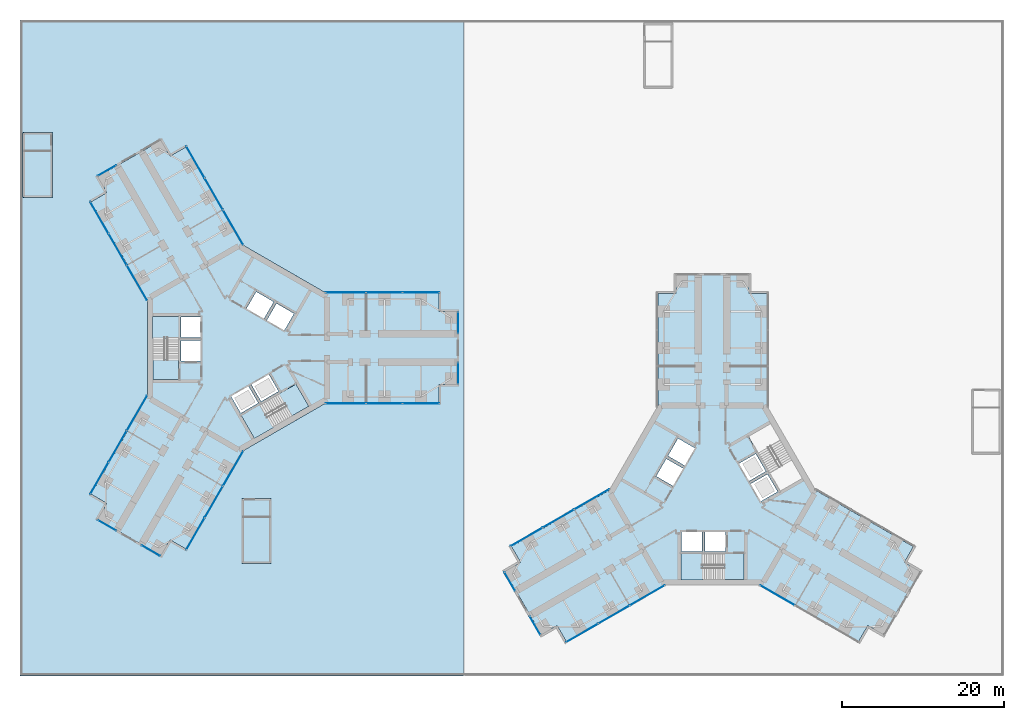
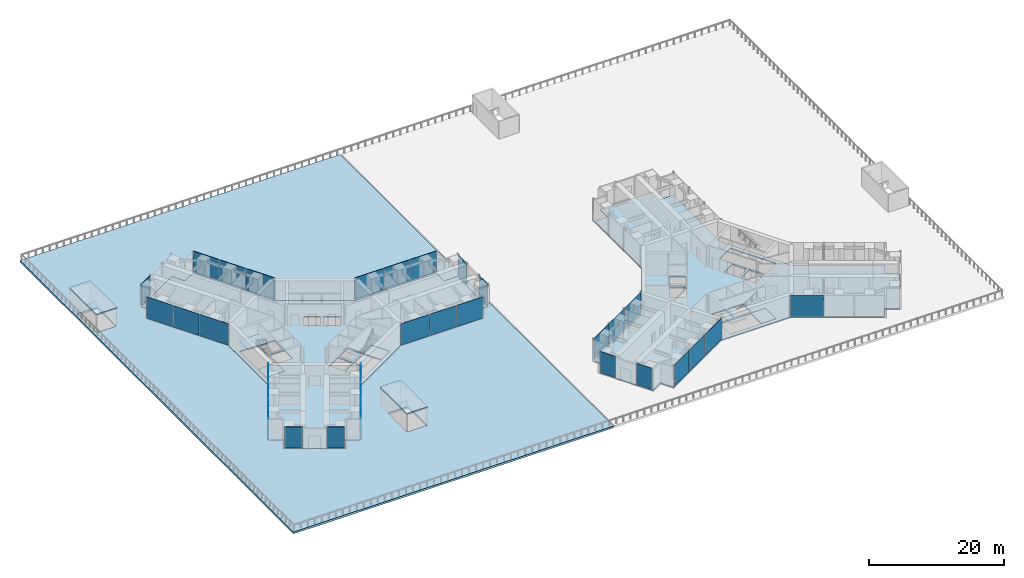
# One storey, part 11 of 23: 32 plates, 11 slabs, 19 elements without a shape of their own.
"""IFC4 building model written with IfcOpenShell, lengths in metres."""

from ifc_helpers import new_model, si_unit, direction, frame, origin, origin_2d, place, context, subcontext, project, spatial, polyline, rectangle, outline, extrude, material, layer, layer_set, type_object, element, aggregate, save


model = new_model("IFC4")

# Units and contexts
model_context = context("Model", 3, precision=1e-05, world=origin(), true_north=direction((0.0, 1.0)))
body_context = subcontext(model_context, "Body", "Model", "MODEL_VIEW")
ifc_project = project(units=[si_unit("LENGTHUNIT", "METRE"), si_unit("AREAUNIT", "SQUARE_METRE"), si_unit("VOLUMEUNIT", "CUBIC_METRE"), si_unit("PLANEANGLEUNIT", "RADIAN"), si_unit("MASSUNIT", "GRAM", prefix="KILO")], contexts=[model_context])

# Site, building, storey
site_placement = place(None, origin())
site = spatial("IfcSite", under=ifc_project, at=site_placement, CompositionType="ELEMENT")
building_placement = place(site_placement, origin())
building = spatial("IfcBuilding", under=site, at=building_placement, Name="Upepo Twin Towers", CompositionType="ELEMENT")
storey_placement = place(building_placement, frame((0.0, 0.0, 20.5)))
storey = spatial("IfcBuildingStorey", under=building, at=storey_placement, Name="L04", CompositionType="ELEMENT", Elevation=20.5)

# Curtain wall, plates
ifc_material_1 = material(Name="Aluminium and fritted glass", Category="aluminium")
curtain_wall_type = type_object("IfcCurtainWallType", Name="Tower curtain wall TW1, fritted glass", PredefinedType="NOTDEFINED", material=ifc_material_1)
curtain_wall_1_placement = place(storey_placement, origin())
curtain_wall_1 = element("IfcCurtainWall", 1, at=curtain_wall_1_placement, inside=storey, type_object=curtain_wall_type, Name="T1 L04 wing A flank L curtain wall", PredefinedType="NOTDEFINED")
ifc_material_2 = material(Name="Ceramic-fritted laminated glass", Category="glass")
ifc_layer_1 = layer(ifc_material_2, 0.031982421875)
ifc_layer_set_1 = layer_set([ifc_layer_1], Name="Fritted glass panel, 20 per cent dot frit, 32 mm double glazed")
plate_type_1 = type_object("IfcPlateType", Name="Fritted glass panel, 20 per cent dot frit, 32 mm double glazed", PredefinedType="CURTAIN_PANEL", material=ifc_layer_set_1)
plate_1_placement = place(storey_placement, frame((13.23486328125, 6.85009765625, 0.14990234375), z_axis=(0.0, 0.0, 1.0), x_axis=(1.0, 0.0, 0.0)))
plate_1 = element("IfcPlate", 2, at=plate_1_placement, type_object=plate_type_1, Name="T1 L04 wing A flank L curtain wall panel 1", PredefinedType="CURTAIN_PANEL", context=body_context, shape_type="SweptSolid", body=[
    extrude(rectangle(XDim=4.96533203125, YDim=0.031982421875, at=origin_2d()), origin(), (0.0, 0.0, 1.0), 3.85009765625),
])
plate_2_placement = place(storey_placement, frame((18.0, 6.85009765625, 0.14990234375), z_axis=(0.0, 0.0, 1.0), x_axis=(1.0, 0.0, 0.0)))
plate_2 = element("IfcPlate", 3, at=plate_2_placement, type_object=plate_type_1, Name="T1 L04 wing A flank L curtain wall panel 2", PredefinedType="CURTAIN_PANEL", context=body_context, shape_type="SweptSolid", body=[
    extrude(rectangle(XDim=4.43505859375, YDim=0.031982421875, at=origin_2d()), origin(), (0.0, 0.0, 1.0), 3.85009765625),
])
plate_3_placement = place(storey_placement, frame((22.53369140625, 6.85009765625, 0.14990234375), z_axis=(0.0, 0.0, 1.0), x_axis=(1.0, 0.0, 0.0)))
plate_3 = element("IfcPlate", 4, at=plate_3_placement, type_object=plate_type_1, Name="T1 L04 wing A flank L curtain wall panel 3", PredefinedType="CURTAIN_PANEL", context=body_context, shape_type="SweptSolid", body=[
    extrude(rectangle(XDim=4.50244140625, YDim=0.031982421875, at=origin_2d()), origin(), (0.0, 0.0, 1.0), 3.85009765625),
])
aggregate(curtain_wall_1, [plate_1, plate_2, plate_3])

curtain_wall_2_placement = place(storey_placement, origin())
curtain_wall_2 = element("IfcCurtainWall", 5, at=curtain_wall_2_placement, inside=storey, type_object=curtain_wall_type, Name="T1 L04 wing A flank R curtain wall", PredefinedType="NOTDEFINED")
plate_4_placement = place(storey_placement, frame((22.53369140625, -6.85009765625, 0.14990234375), z_axis=(0.0, 0.0, 1.0), x_axis=(-1.0, 0.0, 0.0)))
plate_4 = element("IfcPlate", 6, at=plate_4_placement, type_object=plate_type_1, Name="T1 L04 wing A flank R curtain wall panel 1", PredefinedType="CURTAIN_PANEL", context=body_context, shape_type="SweptSolid", body=[
    extrude(rectangle(XDim=4.50244140625, YDim=0.031982421875, at=origin_2d()), origin(), (0.0, 0.0, 1.0), 3.85009765625),
])
plate_5_placement = place(storey_placement, frame((18.0, -6.85009765625, 0.14990234375), z_axis=(0.0, 0.0, 1.0), x_axis=(-1.0, 0.0, 0.0)))
plate_5 = element("IfcPlate", 7, at=plate_5_placement, type_object=plate_type_1, Name="T1 L04 wing A flank R curtain wall panel 2", PredefinedType="CURTAIN_PANEL", context=body_context, shape_type="SweptSolid", body=[
    extrude(rectangle(XDim=4.43505859375, YDim=0.031982421875, at=origin_2d()), origin(), (0.0, 0.0, 1.0), 3.85009765625),
])
plate_6_placement = place(storey_placement, frame((13.23486328125, -6.85009765625, 0.14990234375), z_axis=(0.0, 0.0, 1.0), x_axis=(-1.0, 0.0, 0.0)))
plate_6 = element("IfcPlate", 8, at=plate_6_placement, type_object=plate_type_1, Name="T1 L04 wing A flank R curtain wall panel 3", PredefinedType="CURTAIN_PANEL", context=body_context, shape_type="SweptSolid", body=[
    extrude(rectangle(XDim=4.96533203125, YDim=0.031982421875, at=origin_2d()), origin(), (0.0, 0.0, 1.0), 3.85009765625),
])
aggregate(curtain_wall_2, [plate_4, plate_5, plate_6])

curtain_wall_3_placement = place(storey_placement, origin())
curtain_wall_3 = element("IfcCurtainWall", 9, at=curtain_wall_3_placement, inside=storey, type_object=curtain_wall_type, Name="T1 L04 wing B flank L curtain wall", PredefinedType="NOTDEFINED")
plate_7_placement = place(storey_placement, frame((-12.549560546875, 8.03662109375, 0.14990234375), z_axis=(0.0, 0.0, 1.0), x_axis=(-0.500000024426, 0.866025389682, 0.0)))
plate_7 = element("IfcPlate", 10, at=plate_7_placement, type_object=plate_type_1, Name="T1 L04 wing B flank L curtain wall panel 1", PredefinedType="CURTAIN_PANEL", context=body_context, shape_type="SweptSolid", body=[
    extrude(rectangle(XDim=4.96533203125, YDim=0.031982421875, at=origin_2d()), origin(), (0.0, 0.0, 1.0), 3.85009765625),
])
plate_8_placement = place(storey_placement, frame((-14.932373046875, 12.16357421875, 0.14990234375), z_axis=(0.0, 0.0, 1.0), x_axis=(-0.500000024426, 0.866025389682, 0.0)))
plate_8 = element("IfcPlate", 11, at=plate_8_placement, type_object=plate_type_1, Name="T1 L04 wing B flank L curtain wall panel 2", PredefinedType="CURTAIN_PANEL", context=body_context, shape_type="SweptSolid", body=[
    extrude(rectangle(XDim=4.43505859375, YDim=0.031982421875, at=origin_2d()), origin(), (0.0, 0.0, 1.0), 3.85009765625),
])
plate_9_placement = place(storey_placement, frame((-17.19921875, 16.08984375, 0.14990234375), z_axis=(0.0, 0.0, 1.0), x_axis=(-0.500000024426, 0.866025389682, 0.0)))
plate_9 = element("IfcPlate", 12, at=plate_9_placement, type_object=plate_type_1, Name="T1 L04 wing B flank L curtain wall panel 3", PredefinedType="CURTAIN_PANEL", context=body_context, shape_type="SweptSolid", body=[
    extrude(rectangle(XDim=4.50244140625, YDim=0.031982421875, at=origin_2d()), origin(), (0.0, 0.0, 1.0), 3.85009765625),
])
aggregate(curtain_wall_3, [plate_7, plate_8, plate_9])

curtain_wall_4_placement = place(storey_placement, origin())
curtain_wall_4 = element("IfcCurtainWall", 13, at=curtain_wall_4_placement, inside=storey, type_object=curtain_wall_type, Name="T1 L04 wing B flank R curtain wall", PredefinedType="NOTDEFINED")
plate_10_placement = place(storey_placement, frame((-5.334716796875, 22.939697265625, 0.14990234375), z_axis=(0.0, 0.0, 1.0), x_axis=(0.500000024426, -0.866025389682, 0.0)))
plate_10 = element("IfcPlate", 14, at=plate_10_placement, type_object=plate_type_1, Name="T1 L04 wing B flank R curtain wall panel 1", PredefinedType="CURTAIN_PANEL", context=body_context, shape_type="SweptSolid", body=[
    extrude(rectangle(XDim=4.50244140625, YDim=0.031982421875, at=origin_2d()), origin(), (0.0, 0.0, 1.0), 3.85009765625),
])
plate_11_placement = place(storey_placement, frame((-3.067626953125, 19.013427734375, 0.14990234375), z_axis=(0.0, 0.0, 1.0), x_axis=(0.500000024426, -0.866025389682, 0.0)))
plate_11 = element("IfcPlate", 15, at=plate_11_placement, type_object=plate_type_1, Name="T1 L04 wing B flank R curtain wall panel 2", PredefinedType="CURTAIN_PANEL", context=body_context, shape_type="SweptSolid", body=[
    extrude(rectangle(XDim=4.43505859375, YDim=0.031982421875, at=origin_2d()), origin(), (0.0, 0.0, 1.0), 3.85009765625),
])
plate_12_placement = place(storey_placement, frame((-0.68505859375, 14.88671875, 0.14990234375), z_axis=(0.0, 0.0, 1.0), x_axis=(0.500000024426, -0.866025389682, 0.0)))
plate_12 = element("IfcPlate", 16, at=plate_12_placement, type_object=plate_type_1, Name="T1 L04 wing B flank R curtain wall panel 3", PredefinedType="CURTAIN_PANEL", context=body_context, shape_type="SweptSolid", body=[
    extrude(rectangle(XDim=4.96533203125, YDim=0.031982421875, at=origin_2d()), origin(), (0.0, 0.0, 1.0), 3.85009765625),
])
aggregate(curtain_wall_4, [plate_10, plate_11, plate_12])

curtain_wall_5_placement = place(storey_placement, origin())
curtain_wall_5 = element("IfcCurtainWall", 17, at=curtain_wall_5_placement, inside=storey, type_object=curtain_wall_type, Name="T1 L04 wing C flank L curtain wall", PredefinedType="NOTDEFINED")
plate_13_placement = place(storey_placement, frame((-0.68505859375, -14.88671875, 0.14990234375), z_axis=(0.0, 0.0, 1.0), x_axis=(-0.500000024426, -0.866025389682, 0.0)))
plate_13 = element("IfcPlate", 18, at=plate_13_placement, type_object=plate_type_1, Name="T1 L04 wing C flank L curtain wall panel 1", PredefinedType="CURTAIN_PANEL", context=body_context, shape_type="SweptSolid", body=[
    extrude(rectangle(XDim=4.96533203125, YDim=0.031982421875, at=origin_2d()), origin(), (0.0, 0.0, 1.0), 3.85009765625),
])
plate_14_placement = place(storey_placement, frame((-3.067626953125, -19.013427734375, 0.14990234375), z_axis=(0.0, 0.0, 1.0), x_axis=(-0.500000024426, -0.866025389682, 0.0)))
plate_14 = element("IfcPlate", 19, at=plate_14_placement, type_object=plate_type_1, Name="T1 L04 wing C flank L curtain wall panel 2", PredefinedType="CURTAIN_PANEL", context=body_context, shape_type="SweptSolid", body=[
    extrude(rectangle(XDim=4.43505859375, YDim=0.031982421875, at=origin_2d()), origin(), (0.0, 0.0, 1.0), 3.85009765625),
])
plate_15_placement = place(storey_placement, frame((-5.334716796875, -22.939697265625, 0.14990234375), z_axis=(0.0, 0.0, 1.0), x_axis=(-0.500000024426, -0.866025389682, 0.0)))
plate_15 = element("IfcPlate", 20, at=plate_15_placement, type_object=plate_type_1, Name="T1 L04 wing C flank L curtain wall panel 3", PredefinedType="CURTAIN_PANEL", context=body_context, shape_type="SweptSolid", body=[
    extrude(rectangle(XDim=4.50244140625, YDim=0.031982421875, at=origin_2d()), origin(), (0.0, 0.0, 1.0), 3.85009765625),
])
aggregate(curtain_wall_5, [plate_13, plate_14, plate_15])

curtain_wall_6_placement = place(storey_placement, origin())
curtain_wall_6 = element("IfcCurtainWall", 21, at=curtain_wall_6_placement, inside=storey, type_object=curtain_wall_type, Name="T1 L04 wing C flank R curtain wall", PredefinedType="NOTDEFINED")
plate_16_placement = place(storey_placement, frame((-17.19921875, -16.08984375, 0.14990234375), z_axis=(0.0, 0.0, 1.0), x_axis=(0.500000024426, 0.866025389682, 0.0)))
plate_16 = element("IfcPlate", 22, at=plate_16_placement, type_object=plate_type_1, Name="T1 L04 wing C flank R curtain wall panel 1", PredefinedType="CURTAIN_PANEL", context=body_context, shape_type="SweptSolid", body=[
    extrude(rectangle(XDim=4.50244140625, YDim=0.031982421875, at=origin_2d()), origin(), (0.0, 0.0, 1.0), 3.85009765625),
])
plate_17_placement = place(storey_placement, frame((-14.932373046875, -12.16357421875, 0.14990234375), z_axis=(0.0, 0.0, 1.0), x_axis=(0.500000024426, 0.866025389682, 0.0)))
plate_17 = element("IfcPlate", 23, at=plate_17_placement, type_object=plate_type_1, Name="T1 L04 wing C flank R curtain wall panel 2", PredefinedType="CURTAIN_PANEL", context=body_context, shape_type="SweptSolid", body=[
    extrude(rectangle(XDim=4.43505859375, YDim=0.031982421875, at=origin_2d()), origin(), (0.0, 0.0, 1.0), 3.85009765625),
])
plate_18_placement = place(storey_placement, frame((-12.549560546875, -8.03662109375, 0.14990234375), z_axis=(0.0, 0.0, 1.0), x_axis=(0.500000024426, 0.866025389682, 0.0)))
plate_18 = element("IfcPlate", 24, at=plate_18_placement, type_object=plate_type_1, Name="T1 L04 wing C flank R curtain wall panel 3", PredefinedType="CURTAIN_PANEL", context=body_context, shape_type="SweptSolid", body=[
    extrude(rectangle(XDim=4.96533203125, YDim=0.031982421875, at=origin_2d()), origin(), (0.0, 0.0, 1.0), 3.85009765625),
])
aggregate(curtain_wall_6, [plate_16, plate_17, plate_18])

curtain_wall_7_placement = place(storey_placement, origin())
curtain_wall_7 = element("IfcCurtainWall", 25, at=curtain_wall_7_placement, inside=storey, type_object=curtain_wall_type, Name="T2 L04 wing B flank L curtain wall", PredefinedType="NOTDEFINED")
plate_19_placement = place(storey_placement, frame((50.46337890625, -30.549560546875, 0.14990234375), z_axis=(0.0, 0.0, 1.0), x_axis=(-0.866025389682, -0.500000024426, 0.0)))
plate_19 = element("IfcPlate", 26, at=plate_19_placement, type_object=plate_type_1, Name="T2 L04 wing B flank L curtain wall panel 1", PredefinedType="CURTAIN_PANEL", context=body_context, shape_type="SweptSolid", body=[
    extrude(rectangle(XDim=4.96533203125, YDim=0.031982421875, at=origin_2d()), origin(), (0.0, 0.0, 1.0), 3.85009765625),
])
plate_20_placement = place(storey_placement, frame((46.33642578125, -32.932373046875, 0.14990234375), z_axis=(0.0, 0.0, 1.0), x_axis=(-0.866025389682, -0.500000024426, 0.0)))
plate_20 = element("IfcPlate", 27, at=plate_20_placement, type_object=plate_type_1, Name="T2 L04 wing B flank L curtain wall panel 2", PredefinedType="CURTAIN_PANEL", context=body_context, shape_type="SweptSolid", body=[
    extrude(rectangle(XDim=4.43505859375, YDim=0.031982421875, at=origin_2d()), origin(), (0.0, 0.0, 1.0), 3.85009765625),
])
plate_21_placement = place(storey_placement, frame((42.41015625, -35.19921875, 0.14990234375), z_axis=(0.0, 0.0, 1.0), x_axis=(-0.866025389682, -0.500000024426, 0.0)))
plate_21 = element("IfcPlate", 28, at=plate_21_placement, type_object=plate_type_1, Name="T2 L04 wing B flank L curtain wall panel 3", PredefinedType="CURTAIN_PANEL", context=body_context, shape_type="SweptSolid", body=[
    extrude(rectangle(XDim=4.50244140625, YDim=0.031982421875, at=origin_2d()), origin(), (0.0, 0.0, 1.0), 3.85009765625),
])
aggregate(curtain_wall_7, [plate_19, plate_20, plate_21])

curtain_wall_8_placement = place(storey_placement, origin())
curtain_wall_8 = element("IfcCurtainWall", 29, at=curtain_wall_8_placement, inside=storey, type_object=curtain_wall_type, Name="T2 L04 wing B flank R curtain wall", PredefinedType="NOTDEFINED")
plate_22_placement = place(storey_placement, frame((35.560302734375, -23.334716796875, 0.14990234375), z_axis=(0.0, 0.0, 1.0), x_axis=(0.866025389682, 0.500000024426, 0.0)))
plate_22 = element("IfcPlate", 30, at=plate_22_placement, type_object=plate_type_1, Name="T2 L04 wing B flank R curtain wall panel 1", PredefinedType="CURTAIN_PANEL", context=body_context, shape_type="SweptSolid", body=[
    extrude(rectangle(XDim=4.50244140625, YDim=0.031982421875, at=origin_2d()), origin(), (0.0, 0.0, 1.0), 3.85009765625),
])
plate_23_placement = place(storey_placement, frame((39.486572265625, -21.067626953125, 0.14990234375), z_axis=(0.0, 0.0, 1.0), x_axis=(0.866025389682, 0.500000024426, 0.0)))
plate_23 = element("IfcPlate", 31, at=plate_23_placement, type_object=plate_type_1, Name="T2 L04 wing B flank R curtain wall panel 2", PredefinedType="CURTAIN_PANEL", context=body_context, shape_type="SweptSolid", body=[
    extrude(rectangle(XDim=4.43505859375, YDim=0.031982421875, at=origin_2d()), origin(), (0.0, 0.0, 1.0), 3.85009765625),
])
plate_24_placement = place(storey_placement, frame((43.61328125, -18.68505859375, 0.14990234375), z_axis=(0.0, 0.0, 1.0), x_axis=(0.866025389682, 0.500000024426, 0.0)))
plate_24 = element("IfcPlate", 32, at=plate_24_placement, type_object=plate_type_1, Name="T2 L04 wing B flank R curtain wall panel 3", PredefinedType="CURTAIN_PANEL", context=body_context, shape_type="SweptSolid", body=[
    extrude(rectangle(XDim=4.96533203125, YDim=0.031982421875, at=origin_2d()), origin(), (0.0, 0.0, 1.0), 3.85009765625),
])
aggregate(curtain_wall_8, [plate_22, plate_23, plate_24])

# Curtain wall, plate
curtain_wall_9_placement = place(storey_placement, origin())
curtain_wall_9 = element("IfcCurtainWall", 33, at=curtain_wall_9_placement, inside=storey, type_object=curtain_wall_type, Name="T2 L04 wing C flank R curtain wall", PredefinedType="NOTDEFINED")
plate_25_placement = place(storey_placement, frame((66.53662109375, -30.549560546875, 0.14990234375), z_axis=(0.0, 0.0, 1.0), x_axis=(-0.866025389682, 0.500000024426, 0.0)))
plate_25 = element("IfcPlate", 34, at=plate_25_placement, type_object=plate_type_1, Name="T2 L04 wing C flank R curtain wall panel 3", PredefinedType="CURTAIN_PANEL", context=body_context, shape_type="SweptSolid", body=[
    extrude(rectangle(XDim=4.96533203125, YDim=0.031982421875, at=origin_2d()), origin(), (0.0, 0.0, 1.0), 3.85009765625),
])
aggregate(curtain_wall_9, [plate_25])

# Slabs
ifc_material_3 = material(Name="Concrete C40/50", Category="concrete")
ifc_layer_2 = layer(ifc_material_3, 0.199951171875)
ifc_layer_set_2 = layer_set([ifc_layer_2], Name="Concrete C40/50")
slab_type_1 = type_object("IfcSlabType", Name="Head-house roof 200 RC", PredefinedType="ROOF", material=ifc_layer_set_2)
slab_1_placement = place(storey_placement, frame((0.0, 0.0, 3.199951171875)))
element("IfcSlab", 35, at=slab_1_placement, inside=storey, type_object=slab_type_1, Name="PS1 head-house roof", PredefinedType="ROOF", context=body_context, shape_type="SweptSolid", body=[
    extrude(outline(polyline([(-26.60009765625, 18.60009765625), (-23.0, 18.60009765625), (-23.0, 26.60009765625), (-26.60009765625, 26.60009765625), (-26.60009765625, 18.60009765625)])), origin(), (0.0, 0.0, 1.0), 0.199951171875),
])
slab_2_placement = place(storey_placement, frame((0.0, 0.0, 3.199951171875)))
element("IfcSlab", 36, at=slab_2_placement, inside=storey, type_object=slab_type_1, Name="PS3 head-house roof", PredefinedType="ROOF", context=body_context, shape_type="SweptSolid", body=[
    extrude(outline(polyline([(0.39990234375, -26.60009765625), (4.0, -26.60009765625), (4.0, -18.60009765625), (0.39990234375, -18.60009765625), (0.39990234375, -26.60009765625)])), origin(), (0.0, 0.0, 1.0), 0.199951171875),
])

# Curtain wall, plate
curtain_wall_10_placement = place(storey_placement, origin())
curtain_wall_10 = element("IfcCurtainWall", 37, at=curtain_wall_10_placement, inside=storey, type_object=curtain_wall_type, Name="T1 L04 wing A nose curtain wall 0", PredefinedType="NOTDEFINED")
ifc_material_4 = material(Name="Clear laminated glass in opening sash", Category="glass")
ifc_layer_3 = layer(ifc_material_4, 0.031982421875)
ifc_layer_set_3 = layer_set([ifc_layer_3], Name="Operable glass panel, 32 mm double glazed")
plate_type_2 = type_object("IfcPlateType", Name="Operable glass panel, 32 mm double glazed", PredefinedType="CURTAIN_PANEL", material=ifc_layer_set_3)
plate_26_placement = place(storey_placement, frame((27.10009765625, -3.125, 0.14990234375), z_axis=(0.0, 0.0, 1.0), x_axis=(0.0, 1.0, 0.0)))
plate_26 = element("IfcPlate", 38, at=plate_26_placement, type_object=plate_type_2, Name="T1 L04 wing A nose curtain wall 0 panel 1", PredefinedType="CURTAIN_PANEL", context=body_context, shape_type="SweptSolid", body=[
    extrude(rectangle(XDim=2.6201171875, YDim=0.031982421875, at=origin_2d()), origin(), (0.0, 0.0, 1.0), 3.85009765625),
])
aggregate(curtain_wall_10, [plate_26])

curtain_wall_11_placement = place(storey_placement, origin())
curtain_wall_11 = element("IfcCurtainWall", 39, at=curtain_wall_11_placement, inside=storey, type_object=curtain_wall_type, Name="T1 L04 wing A nose curtain wall 2", PredefinedType="NOTDEFINED")
plate_27_placement = place(storey_placement, frame((27.10009765625, 3.125, 0.14990234375), z_axis=(0.0, 0.0, 1.0), x_axis=(0.0, 1.0, 0.0)))
plate_27 = element("IfcPlate", 40, at=plate_27_placement, type_object=plate_type_2, Name="T1 L04 wing A nose curtain wall 2 panel 1", PredefinedType="CURTAIN_PANEL", context=body_context, shape_type="SweptSolid", body=[
    extrude(rectangle(XDim=2.6201171875, YDim=0.031982421875, at=origin_2d()), origin(), (0.0, 0.0, 1.0), 3.85009765625),
])
aggregate(curtain_wall_11, [plate_27])

curtain_wall_12_placement = place(storey_placement, origin())
curtain_wall_12 = element("IfcCurtainWall", 41, at=curtain_wall_12_placement, inside=storey, type_object=curtain_wall_type, Name="T1 L04 wing B nose curtain wall 2", PredefinedType="NOTDEFINED")
plate_28_placement = place(storey_placement, frame((-16.25634765625, 21.90673828125, 0.14990234375), z_axis=(0.0, 0.0, 1.0), x_axis=(-0.866025416473, -0.499999978023, 0.0)))
plate_28 = element("IfcPlate", 42, at=plate_28_placement, type_object=plate_type_2, Name="T1 L04 wing B nose curtain wall 2 panel 1", PredefinedType="CURTAIN_PANEL", context=body_context, shape_type="SweptSolid", body=[
    extrude(rectangle(XDim=2.6201171875, YDim=0.031982421875, at=origin_2d()), origin(), (0.0, 0.0, 1.0), 3.85009765625),
])
aggregate(curtain_wall_12, [plate_28])

curtain_wall_13_placement = place(storey_placement, origin())
curtain_wall_13 = element("IfcCurtainWall", 43, at=curtain_wall_13_placement, inside=storey, type_object=curtain_wall_type, Name="T1 L04 wing C nose curtain wall 0", PredefinedType="NOTDEFINED")
plate_29_placement = place(storey_placement, frame((-16.25634765625, -21.90673828125, 0.14990234375), z_axis=(0.0, 0.0, 1.0), x_axis=(0.866025416473, -0.499999978023, 0.0)))
plate_29 = element("IfcPlate", 44, at=plate_29_placement, type_object=plate_type_2, Name="T1 L04 wing C nose curtain wall 0 panel 1", PredefinedType="CURTAIN_PANEL", context=body_context, shape_type="SweptSolid", body=[
    extrude(rectangle(XDim=2.6201171875, YDim=0.031982421875, at=origin_2d()), origin(), (0.0, 0.0, 1.0), 3.85009765625),
])
aggregate(curtain_wall_13, [plate_29])

curtain_wall_14_placement = place(storey_placement, origin())
curtain_wall_14 = element("IfcCurtainWall", 45, at=curtain_wall_14_placement, inside=storey, type_object=curtain_wall_type, Name="T1 L04 wing C nose curtain wall 2", PredefinedType="NOTDEFINED")
plate_30_placement = place(storey_placement, frame((-10.84375, -25.03173828125, 0.14990234375), z_axis=(0.0, 0.0, 1.0), x_axis=(0.866025416473, -0.499999978023, 0.0)))
plate_30 = element("IfcPlate", 46, at=plate_30_placement, type_object=plate_type_2, Name="T1 L04 wing C nose curtain wall 2 panel 1", PredefinedType="CURTAIN_PANEL", context=body_context, shape_type="SweptSolid", body=[
    extrude(rectangle(XDim=2.6201171875, YDim=0.031982421875, at=origin_2d()), origin(), (0.0, 0.0, 1.0), 3.85009765625),
])
aggregate(curtain_wall_14, [plate_30])

curtain_wall_15_placement = place(storey_placement, origin())
curtain_wall_15 = element("IfcCurtainWall", 47, at=curtain_wall_15_placement, inside=storey, type_object=curtain_wall_type, Name="T2 L04 wing B nose curtain wall 0", PredefinedType="NOTDEFINED")
plate_31_placement = place(storey_placement, frame((33.46826171875, -28.84375, 0.14990234375), z_axis=(0.0, 0.0, 1.0), x_axis=(0.499999978023, -0.866025416473, 0.0)))
plate_31 = element("IfcPlate", 48, at=plate_31_placement, type_object=plate_type_2, Name="T2 L04 wing B nose curtain wall 0 panel 1", PredefinedType="CURTAIN_PANEL", context=body_context, shape_type="SweptSolid", body=[
    extrude(rectangle(XDim=2.6201171875, YDim=0.031982421875, at=origin_2d()), origin(), (0.0, 0.0, 1.0), 3.85009765625),
])
aggregate(curtain_wall_15, [plate_31])

curtain_wall_16_placement = place(storey_placement, origin())
curtain_wall_16 = element("IfcCurtainWall", 49, at=curtain_wall_16_placement, inside=storey, type_object=curtain_wall_type, Name="T2 L04 wing B nose curtain wall 2", PredefinedType="NOTDEFINED")
plate_32_placement = place(storey_placement, frame((36.59326171875, -34.25634765625, 0.14990234375), z_axis=(0.0, 0.0, 1.0), x_axis=(0.499999978023, -0.866025416473, 0.0)))
plate_32 = element("IfcPlate", 50, at=plate_32_placement, type_object=plate_type_2, Name="T2 L04 wing B nose curtain wall 2 panel 1", PredefinedType="CURTAIN_PANEL", context=body_context, shape_type="SweptSolid", body=[
    extrude(rectangle(XDim=2.6201171875, YDim=0.031982421875, at=origin_2d()), origin(), (0.0, 0.0, 1.0), 3.85009765625),
])
aggregate(curtain_wall_16, [plate_32])

# Stair, slabs
ifc_material_5 = material(Name="Concrete C40/50", Category="concrete")
stair_type = type_object("IfcStairType", Name="Core stair, two flights", PredefinedType="HALF_TURN_STAIR", material=ifc_material_5)
stair_1_placement = place(storey_placement, origin())
stair_1 = element("IfcStair", 51, at=stair_1_placement, inside=storey, type_object=stair_type, Name="T1 stair S1 L04", PredefinedType="HALF_TURN_STAIR")
ifc_material_6 = material(Name="Concrete C40/50", Category="concrete")
ifc_layer_4 = layer(ifc_material_6, 0.199951171875)
ifc_layer_set_4 = layer_set([ifc_layer_4], Name="Concrete C40/50")
slab_type_2 = type_object("IfcSlabType", Name="Stair landing 200 RC", PredefinedType="LANDING", material=ifc_layer_set_4)
slab_3_placement = place(storey_placement, frame((0.0, 0.0, -0.199951171875)))
slab_3 = element("IfcSlab", 52, at=slab_3_placement, type_object=slab_type_2, Name="Stair S1 landing 1", PredefinedType="LANDING", context=body_context, shape_type="SweptSolid", body=[
    extrude(outline(polyline([(-7.39990234375, -1.419921875), (-10.558349609375, -1.419921875), (-10.558349609375, -3.89990234375), (-7.39990234375, -3.89990234375), (-7.39990234375, -1.419921875)])), origin(), (0.0, 0.0, 1.0), 0.199951171875),
])
slab_4_placement = place(storey_placement, frame((0.0, 0.0, 1.800048828125)))
slab_4 = element("IfcSlab", 53, at=slab_4_placement, type_object=slab_type_2, Name="Stair S1 landing 2", PredefinedType="LANDING", context=body_context, shape_type="SweptSolid", body=[
    extrude(outline(polyline([(-7.300048828125, 3.89990234375), (-10.658447265625, 3.89990234375), (-10.658447265625, 1.179931640625), (-7.300048828125, 1.179931640625), (-7.300048828125, 3.89990234375)])), origin(), (0.0, 0.0, 1.0), 0.199951171875),
])
aggregate(stair_1, [slab_3, slab_4])

stair_2_placement = place(storey_placement, origin())
stair_2 = element("IfcStair", 54, at=stair_2_placement, inside=storey, type_object=stair_type, Name="T1 stair S2 L04", PredefinedType="HALF_TURN_STAIR")
slab_5_placement = place(storey_placement, frame((0.0, 0.0, -0.199951171875)))
slab_5 = element("IfcSlab", 55, at=slab_5_placement, type_object=slab_type_2, Name="Stair S2 landing 1", PredefinedType="LANDING", context=body_context, shape_type="SweptSolid", body=[
    extrude(outline(polyline([(4.9296875, -5.698486328125), (6.509033203125, -8.433837890625), (8.65673828125, -7.19384765625), (7.077392578125, -4.45849609375), (4.9296875, -5.698486328125)])), origin(), (0.0, 0.0, 1.0), 0.199951171875),
])
slab_6_placement = place(storey_placement, frame((0.0, 0.0, 1.800048828125)))
slab_6 = element("IfcSlab", 56, at=slab_6_placement, type_object=slab_type_2, Name="Stair S2 landing 2", PredefinedType="LANDING", context=body_context, shape_type="SweptSolid", body=[
    extrude(outline(polyline([(0.2724609375, -8.27197265625), (1.95166015625, -11.180419921875), (4.307373046875, -9.8203125), (2.628173828125, -6.911865234375), (0.2724609375, -8.27197265625)])), origin(), (0.0, 0.0, 1.0), 0.199951171875),
])
aggregate(stair_2, [slab_5, slab_6])

stair_3_placement = place(storey_placement, origin())
stair_3 = element("IfcStair", 57, at=stair_3_placement, inside=storey, type_object=stair_type, Name="T2 stair S1 L04", PredefinedType="HALF_TURN_STAIR")
slab_7_placement = place(storey_placement, frame((0.0, 0.0, -0.199951171875)))
slab_7 = element("IfcSlab", 58, at=slab_7_placement, type_object=slab_type_2, Name="Stair S1 landing 1", PredefinedType="LANDING", context=body_context, shape_type="SweptSolid", body=[
    extrude(outline(polyline([(59.919921875, -25.39990234375), (59.919921875, -28.558349609375), (62.39990234375, -28.558349609375), (62.39990234375, -25.39990234375), (59.919921875, -25.39990234375)])), origin(), (0.0, 0.0, 1.0), 0.199951171875),
])
slab_8_placement = place(storey_placement, frame((0.0, 0.0, 1.800048828125)))
slab_8 = element("IfcSlab", 59, at=slab_8_placement, type_object=slab_type_2, Name="Stair S1 landing 2", PredefinedType="LANDING", context=body_context, shape_type="SweptSolid", body=[
    extrude(outline(polyline([(54.60009765625, -25.300048828125), (54.60009765625, -28.658447265625), (57.320068359375, -28.658447265625), (57.320068359375, -25.300048828125), (54.60009765625, -25.300048828125)])), origin(), (0.0, 0.0, 1.0), 0.199951171875),
])
aggregate(stair_3, [slab_7, slab_8])

# Slabs
ifc_material_7 = material(Name="Concrete C40/50", Category="concrete")
ifc_layer_5 = layer(ifc_material_7, 0.35009765625)
ifc_layer_set_5 = layer_set([ifc_layer_5], Name="Concrete C40/50")
slab_type_3 = type_object("IfcSlabType", Name="Terrace slab 350 RC", PredefinedType="ROOF", material=ifc_layer_set_5)
slab_9_placement = place(storey_placement, frame((0.0, 0.0, -0.35009765625)))
element("IfcSlab", 60, at=slab_9_placement, inside=storey, type_object=slab_type_3, Name="Podium roof slab, planting beds and terraces west", PredefinedType="ROOF", context=body_context, shape_type="SweptSolid", body=[
    extrude(outline(polyline([(27.75, 40.5), (27.75, -40.5), (-27.0, -40.5), (-27.0, 40.5), (27.75, 40.5)]), holes=[polyline([(-8.477783203125, -23.68408203125), (-9.602783203125, -25.632568359375), (-17.397216796875, -21.132568359375), (-16.272216796875, -19.18408203125), (-18.220703125, -18.05908203125), (-11.25830078125, -6.0), (-11.25830078125, 6.0), (-18.220703125, 18.05908203125), (-16.272216796875, 19.18408203125), (-17.397216796875, 21.132568359375), (-9.602783203125, 25.632568359375), (-8.477783203125, 23.68408203125), (-6.529296875, 24.80908203125), (0.43310546875, 12.75), (10.825439453125, 6.75), (24.75, 6.75), (24.75, 4.5), (27.0, 4.5), (27.0, -4.5), (24.75, -4.5), (24.75, -6.75), (10.825439453125, -6.75), (0.43310546875, -12.75), (-6.529296875, -24.80908203125), (-8.477783203125, -23.68408203125)]), polyline([(-23.10009765625, 18.699951171875), (-23.10009765625, 24.320068359375), (-26.5, 24.320068359375), (-26.5, 18.699951171875), (-23.10009765625, 18.699951171875)]), polyline([(3.89990234375, -26.5), (3.89990234375, -20.8798828125), (0.5, -20.8798828125), (0.5, -26.5), (3.89990234375, -26.5)])]), origin(), (0.0, 0.0, 1.0), 0.35009765625),
])
ifc_material_8 = material(Name="Concrete C40/50", Category="concrete")
ifc_layer_6 = layer(ifc_material_8, 0.199951171875)
ifc_layer_set_6 = layer_set([ifc_layer_6], Name="Concrete C40/50")
slab_type_4 = type_object("IfcSlabType", Name="Tower floor slab 200 RC", PredefinedType="FLOOR", material=ifc_layer_set_6)
slab_10_placement = place(storey_placement, frame((0.0, 0.0, -0.199951171875)))
element("IfcSlab", 61, at=slab_10_placement, inside=storey, type_object=slab_type_4, Name="T1 L04 floor slab", PredefinedType="FLOOR", context=body_context, shape_type="SweptSolid", body=[
    extrude(outline(polyline([(-8.477783203125, -23.68408203125), (-9.602783203125, -25.632568359375), (-17.397216796875, -21.132568359375), (-16.272216796875, -19.18408203125), (-18.220703125, -18.05908203125), (-11.25830078125, -6.0), (-11.25830078125, 6.0), (-18.220703125, 18.05908203125), (-16.272216796875, 19.18408203125), (-17.397216796875, 21.132568359375), (-9.602783203125, 25.632568359375), (-8.477783203125, 23.68408203125), (-6.529296875, 24.80908203125), (0.43310546875, 12.75), (10.825439453125, 6.75), (24.75, 6.75), (24.75, 4.5), (27.0, 4.5), (27.0, -4.5), (24.75, -4.5), (24.75, -6.75), (10.825439453125, -6.75), (0.43310546875, -12.75), (-6.529296875, -24.80908203125), (-8.477783203125, -23.68408203125)]), holes=[polyline([(5.640869140625, 2.17041015625), (6.8408203125, 4.248779296875), (4.67578125, 5.498779296875), (3.475830078125, 3.42041015625), (5.640869140625, 2.17041015625)]), polyline([(3.12939453125, 3.620361328125), (4.329345703125, 5.69873046875), (2.164306640625, 6.94873046875), (0.96435546875, 4.870361328125), (3.12939453125, 3.620361328125)]), polyline([(-4.699951171875, 3.800048828125), (-7.10009765625, 3.800048828125), (-7.10009765625, 1.300048828125), (-4.699951171875, 1.300048828125), (-4.699951171875, 3.800048828125)]), polyline([(-4.699951171875, 0.89990234375), (-7.10009765625, 0.89990234375), (-7.10009765625, -1.60009765625), (-4.699951171875, -1.60009765625), (-4.699951171875, 0.89990234375)]), polyline([(-7.39990234375, 3.89990234375), (-10.558349609375, 3.89990234375), (-10.558349609375, -3.89990234375), (-7.39990234375, -3.89990234375), (-7.39990234375, 3.89990234375)]), polyline([(-0.94091796875, -5.97021484375), (0.259033203125, -8.048828125), (2.424072265625, -6.798828125), (1.22412109375, -4.72021484375), (-0.94091796875, -5.97021484375)]), polyline([(1.570556640625, -4.520263671875), (2.7705078125, -6.598876953125), (4.935546875, -5.348876953125), (3.735595703125, -3.270263671875), (1.570556640625, -4.520263671875)]), polyline([(0.322509765625, -8.358642578125), (1.901611328125, -11.09375), (8.65673828125, -7.19384765625), (7.077392578125, -4.45849609375), (0.322509765625, -8.358642578125)])]), origin(), (0.0, 0.0, 1.0), 0.199951171875),
])
slab_11_placement = place(storey_placement, frame((0.0, 0.0, -0.199951171875)))
element("IfcSlab", 62, at=slab_11_placement, inside=storey, type_object=slab_type_4, Name="T2 L04 floor slab", PredefinedType="FLOOR", context=body_context, shape_type="SweptSolid", body=[
    extrude(outline(polyline([(82.18408203125, -26.477783203125), (84.132568359375, -27.602783203125), (79.632568359375, -35.397216796875), (77.68408203125, -34.272216796875), (76.55908203125, -36.220703125), (64.5, -29.25830078125), (52.5, -29.25830078125), (40.44091796875, -36.220703125), (39.31591796875, -34.272216796875), (37.367431640625, -35.397216796875), (32.867431640625, -27.602783203125), (34.81591796875, -26.477783203125), (33.69091796875, -24.529296875), (45.75, -17.56689453125), (51.75, -7.174560546875), (51.75, 6.75), (54.0, 6.75), (54.0, 9.0), (63.0, 9.0), (63.0, 6.75), (65.25, 6.75), (65.25, -7.174560546875), (71.25, -17.56689453125), (83.30908203125, -24.529296875), (82.18408203125, -26.477783203125)]), holes=[polyline([(56.32958984375, -12.359130859375), (54.251220703125, -11.1591796875), (53.001220703125, -13.32421875), (55.07958984375, -14.524169921875), (56.32958984375, -12.359130859375)]), polyline([(54.879638671875, -14.87060546875), (52.80126953125, -13.670654296875), (51.55126953125, -15.835693359375), (53.629638671875, -17.03564453125), (54.879638671875, -14.87060546875)]), polyline([(54.699951171875, -22.699951171875), (54.699951171875, -25.10009765625), (57.199951171875, -25.10009765625), (57.199951171875, -22.699951171875), (54.699951171875, -22.699951171875)]), polyline([(57.60009765625, -22.699951171875), (57.60009765625, -25.10009765625), (60.10009765625, -25.10009765625), (60.10009765625, -22.699951171875), (57.60009765625, -22.699951171875)]), polyline([(54.60009765625, -25.39990234375), (54.60009765625, -28.558349609375), (62.39990234375, -28.558349609375), (62.39990234375, -25.39990234375), (54.60009765625, -25.39990234375)]), polyline([(64.47021484375, -18.94091796875), (66.548828125, -17.740966796875), (65.298828125, -15.575927734375), (63.22021484375, -16.77587890625), (64.47021484375, -18.94091796875)]), polyline([(63.020263671875, -16.429443359375), (65.098876953125, -15.2294921875), (63.848876953125, -13.064453125), (61.770263671875, -14.264404296875), (63.020263671875, -16.429443359375)]), polyline([(66.858642578125, -17.677490234375), (69.59375, -16.098388671875), (65.69384765625, -9.34326171875), (62.95849609375, -10.922607421875), (66.858642578125, -17.677490234375)])]), origin(), (0.0, 0.0, 1.0), 0.199951171875),
])

save(model, "model.ifc")
